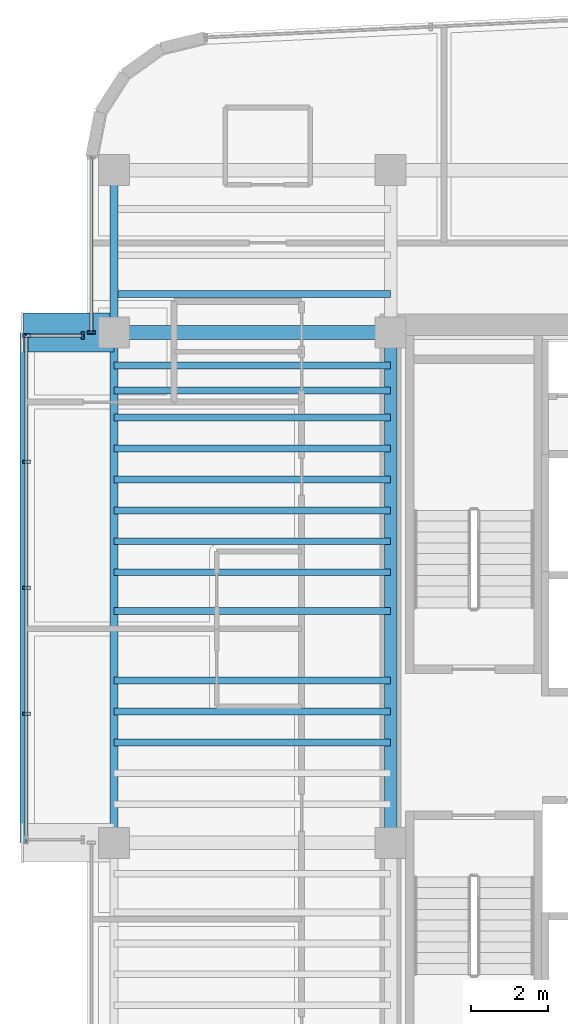
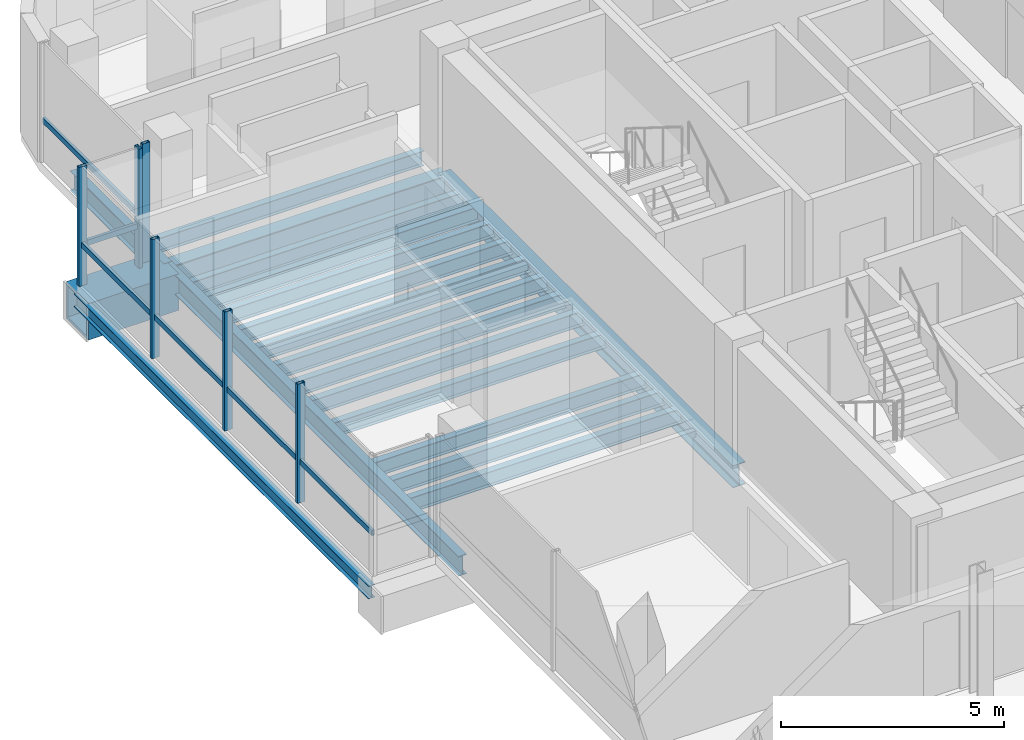
# One storey, part 6 of 20: 19 beams, 9 members, 3 elements without a shape of their own.
"""IFC4 building model written with IfcOpenShell, lengths in metres."""

from ifc_helpers import new_model, si_unit, direction, frame, origin, origin_2d, place, context, subcontext, project, spatial, hollow_rectangle, i_section, extrude, source, transform, mapped, material, material_profile, profile_set, type_object, element, aggregate, save


model = new_model("IFC4")

# Units and contexts
model_context = context("Model", 3, precision=1e-05, world=origin(), true_north=direction((0.0, 1.0)))
body_context = subcontext(model_context, "Body", "Model", "MODEL_VIEW")
ifc_project = project(units=[si_unit("LENGTHUNIT", "METRE"), si_unit("AREAUNIT", "SQUARE_METRE"), si_unit("VOLUMEUNIT", "CUBIC_METRE"), si_unit("PLANEANGLEUNIT", "RADIAN"), si_unit("MASSUNIT", "GRAM", prefix="KILO")], contexts=[model_context])

# Site, building, storey
site_placement = place(None, origin())
site = spatial("IfcSite", under=ifc_project, at=site_placement, CompositionType="ELEMENT")
building_placement = place(site_placement, origin())
building = spatial("IfcBuilding", under=site, at=building_placement, Name="Valdorenza Pilgrim Sanctuary Tower", CompositionType="ELEMENT")
storey_placement = place(building_placement, frame((0.0, 0.0, 244.0)))
storey = spatial("IfcBuildingStorey", under=building, at=storey_placement, Name="L63", CompositionType="ELEMENT", Elevation=244.0)

# Beams
ifc_material_1 = material(Name="Steel ASTM A992 Grade 50", Category="steel")
ifc_material_profile_1 = material_profile(ifc_material_1, i_section(OverallWidth=0.323974609375, OverallDepth=0.611083984375, WebThickness=0.0126953125, FlangeThickness=0.01904296875, at=origin_2d()), Name="W24X104")
ifc_profile_set_1 = profile_set([ifc_material_profile_1], Name="Steel ASTM A992 Grade 50")
beam_type_1 = type_object("IfcBeamType", Name="STR-BM-GRD-W24B", PredefinedType="BEAM", material=ifc_profile_set_1)
shared_shape_1 = source(origin(), body_context, "Body", "SweptSolid", [
    extrude(i_section(OverallWidth=0.323974609375, OverallDepth=0.611083984375, WebThickness=0.0126953125, FlangeThickness=0.01904296875, at=origin_2d()), origin(), (0.0, 0.0, 1.0), 13.2001953125),
])
beam_1_placement = place(storey_placement, frame((-22.64990234375, -2.60009765625, -0.54541015625), z_axis=(0.0, 1.0, 0.0), x_axis=(-1.0, 0.0, 0.0)))
element("IfcBeam", 1, at=beam_1_placement, inside=storey, type_object=beam_type_1, Name="L63 Core Tie Girder CA-W-M0N1", PredefinedType="BEAM", context=body_context, shape_type="MappedRepresentation", body=[
    mapped(shared_shape_1, transform((0.0, 0.0, 0.0), x_axis=(1.0, 0.0, 0.0), y_axis=(0.0, 1.0, 0.0), z_axis=(0.0, 0.0, 1.0), scale=1.0)),
])
ifc_material_profile_2 = material_profile(ifc_material_1, i_section(OverallWidth=0.1708984375, OverallDepth=0.35107421875, WebThickness=0.0068359375, FlangeThickness=0.009765625, at=origin_2d()), Name="W14X30")
ifc_profile_set_2 = profile_set([ifc_material_profile_2], Name="Steel ASTM A992 Grade 50")
beam_type_2 = type_object("IfcBeamType", Name="STR-BM-BOX-W14", PredefinedType="BEAM", material=ifc_profile_set_2)
shared_shape_2 = source(origin(), body_context, "Body", "SweptSolid", [
    extrude(i_section(OverallWidth=0.1708984375, OverallDepth=0.35107421875, WebThickness=0.0068359375, FlangeThickness=0.009765625, at=origin_2d()), origin(), (0.0, 0.0, 1.0), 13.2001953125),
])
beam_2_placement = place(storey_placement, frame((-32.14990234375, -2.60009765625, -0.41552734375), z_axis=(0.0, 1.0, 0.0), x_axis=(-1.0, 0.0, 0.0)))
element("IfcBeam", 2, at=beam_2_placement, inside=storey, type_object=beam_type_2, Name="L63 Glass Box Edge Beam BOX-WA-L63-F", PredefinedType="BEAM", context=body_context, shape_type="MappedRepresentation", body=[
    mapped(shared_shape_2, transform((0.0, 0.0, 0.0), x_axis=(1.0, 0.0, 0.0), y_axis=(0.0, 1.0, 0.0), z_axis=(0.0, 0.0, 1.0), scale=1.0)),
])
ifc_material_profile_3 = material_profile(ifc_material_1, i_section(OverallWidth=0.2109375, OverallDepth=0.5390625, WebThickness=0.01171875, FlangeThickness=0.018798828125, at=origin_2d()), Name="W21X73")
ifc_profile_set_3 = profile_set([ifc_material_profile_3], Name="Steel ASTM A992 Grade 50")
beam_type_3 = type_object("IfcBeamType", Name="STR-BM-SPN-W21B", PredefinedType="SPANDREL", material=ifc_profile_set_3)
shared_shape_3 = source(origin(), body_context, "Body", "SweptSolid", [
    extrude(i_section(OverallWidth=0.2109375, OverallDepth=0.5390625, WebThickness=0.01171875, FlangeThickness=0.018798828125, at=origin_2d()), origin(), (0.0, 0.0, 1.0), 13.2001953125),
])
beam_3_placement = place(storey_placement, frame((-29.800048828125, -2.60009765625, -0.509521484375), z_axis=(0.0, 1.0, 0.0), x_axis=(-1.0, 0.0, 0.0)))
element("IfcBeam", 3, at=beam_3_placement, inside=storey, type_object=beam_type_3, Name="L63 Spandrel Beam WA-W-M0N1", PredefinedType="SPANDREL", context=body_context, shape_type="MappedRepresentation", body=[
    mapped(shared_shape_3, transform((0.0, 0.0, 0.0), x_axis=(1.0, 0.0, 0.0), y_axis=(0.0, 1.0, 0.0), z_axis=(0.0, 0.0, 1.0), scale=1.0)),
])
shared_shape_4 = source(origin(), body_context, "Body", "SweptSolid", [
    extrude(i_section(OverallWidth=0.2109375, OverallDepth=0.5390625, WebThickness=0.01171875, FlangeThickness=0.018798828125, at=origin_2d()), origin(), (0.0, 0.0, 1.0), 4.199951171875),
])
beam_4_placement = place(storey_placement, frame((-29.800048828125, 10.60009765625, -0.509521484375), z_axis=(0.0, 1.0, 0.0), x_axis=(-1.0, 0.0, 0.0)))
element("IfcBeam", 4, at=beam_4_placement, inside=storey, type_object=beam_type_3, Name="L63 Spandrel Beam WA-W-N1N2", PredefinedType="SPANDREL", context=body_context, shape_type="MappedRepresentation", body=[
    mapped(shared_shape_4, transform((0.0, 0.0, 0.0), x_axis=(1.0, 0.0, 0.0), y_axis=(0.0, 1.0, 0.0), z_axis=(0.0, 0.0, 1.0), scale=1.0)),
])
ifc_material_profile_4 = material_profile(ifc_material_1, i_section(OverallWidth=0.35595703125, OverallDepth=0.700927734375, WebThickness=0.016845703125, FlangeThickness=0.02734375, at=origin_2d()), Name="W27X161")
ifc_profile_set_4 = profile_set([ifc_material_profile_4], Name="Steel ASTM A992 Grade 50")
beam_type_4 = type_object("IfcBeamType", Name="STR-BM-GRD-W27", PredefinedType="BEAM", material=ifc_profile_set_4)
shared_shape_5 = source(origin(), body_context, "Body", "SweptSolid", [
    extrude(i_section(OverallWidth=0.35595703125, OverallDepth=0.700927734375, WebThickness=0.016845703125, FlangeThickness=0.02734375, at=origin_2d()), origin(), (0.0, 0.0, 1.0), 7.150146484375),
])
beam_5_placement = place(storey_placement, frame((-29.800048828125, 10.60009765625, -0.590576171875), z_axis=(1.0, 0.0, 0.0), x_axis=(0.0, 1.0, 0.0)))
element("IfcBeam", 5, at=beam_5_placement, inside=storey, type_object=beam_type_4, Name="L63 Floor Girder WA-XW-N1", PredefinedType="BEAM", context=body_context, shape_type="MappedRepresentation", body=[
    mapped(shared_shape_5, transform((0.0, 0.0, 0.0), x_axis=(1.0, 0.0, 0.0), y_axis=(0.0, 1.0, 0.0), z_axis=(0.0, 0.0, 1.0), scale=1.0)),
])
ifc_material_profile_5 = material_profile(ifc_material_1, i_section(OverallWidth=0.177978515625, OverallDepth=0.406005859375, WebThickness=0.0078125, FlangeThickness=0.0126953125, at=origin_2d()), Name="W16X40")
ifc_profile_set_5 = profile_set([ifc_material_profile_5], Name="Steel ASTM A992 Grade 50")
beam_type_5 = type_object("IfcBeamType", Name="STR-BM-JST-W16", PredefinedType="JOIST", material=ifc_profile_set_5)
shared_shape_6 = source(origin(), body_context, "Body", "SweptSolid", [
    extrude(i_section(OverallWidth=0.177978515625, OverallDepth=0.406005859375, WebThickness=0.0078125, FlangeThickness=0.0126953125, at=origin_2d()), origin(), (0.0, 0.0, 1.0), 7.150146484375),
])
for number, where, z_axis, x_axis, name in (
    (6, (-29.800048828125, 0.0, -0.443115234375), (1.0, 0.0, 0.0), (0.0, 1.0, 0.0), "L63 Composite Floor Joist JST-WA-12"),
    (7, (-29.800048828125, 0.800048828125, -0.443115234375), (1.0, 0.0, 0.0), (0.0, 1.0, 0.0), "L63 Composite Floor Joist JST-WA-13"),
    (8, (-29.800048828125, 1.60009765625, -0.443115234375), (1.0, 0.0, 0.0), (0.0, 1.0, 0.0), "L63 Composite Floor Joist JST-WA-14"),
    (9, (-29.800048828125, 3.39990234375, -0.443115234375), (1.0, 0.0, 0.0), (0.0, 1.0, 0.0), "L63 Composite Floor Joist JST-WA-15"),
    (10, (-29.800048828125, 4.39990234375, -0.443115234375), (1.0, 0.0, 0.0), (0.0, 1.0, 0.0), "L63 Composite Floor Joist JST-WA-16"),
    (11, (-29.800048828125, 5.199951171875, -0.443115234375), (1.0, 0.0, 0.0), (0.0, 1.0, 0.0), "L63 Composite Floor Joist JST-WA-17"),
    (12, (-29.800048828125, 6.0, -0.443115234375), (1.0, 0.0, 0.0), (0.0, 1.0, 0.0), "L63 Composite Floor Joist JST-WA-18"),
    (13, (-29.800048828125, 6.800048828125, -0.443115234375), (1.0, 0.0, 0.0), (0.0, 1.0, 0.0), "L63 Composite Floor Joist JST-WA-19"),
    (14, (-29.800048828125, 7.60009765625, -0.443115234375), (1.0, 0.0, 0.0), (0.0, 1.0, 0.0), "L63 Composite Floor Joist JST-WA-20"),
    (15, (-29.800048828125, 8.39990234375, -0.443115234375), (1.0, 0.0, 0.0), (0.0, 1.0, 0.0), "L63 Composite Floor Joist JST-WA-21"),
    (16, (-29.800048828125, 9.10009765625, -0.443115234375), (1.0, 0.0, 0.0), (0.0, 1.0, 0.0), "L63 Composite Floor Joist JST-WA-22"),
    (17, (-29.800048828125, 9.75, -0.443115234375), (1.0, 0.0, 0.0), (0.0, 1.0, 0.0), "L63 Composite Floor Joist JST-WA-23"),
    (18, (-29.800048828125, 11.60009765625, -0.443115234375), (1.0, 0.0, 0.0), (0.0, 1.0, 0.0), "L63 Composite Floor Joist JST-WA-24"),
):
    element("IfcBeam", number, at=place(storey_placement, frame(where, z_axis=z_axis, x_axis=x_axis)), inside=storey, type_object=beam_type_5, Name=name, PredefinedType="JOIST", context=body_context, shape_type="MappedRepresentation", body=[
        mapped(shared_shape_6, transform((0.0, 0.0, 0.0), x_axis=(1.0, 0.0, 0.0), y_axis=(0.0, 1.0, 0.0), z_axis=(0.0, 0.0, 1.0), scale=1.0)),
    ])
ifc_material_2 = material(Name="Steel ASTM A572 Grade 42", Category="steel")
ifc_material_profile_6 = material_profile(ifc_material_2, hollow_rectangle(XDim=1.0, YDim=1.0, WallThickness=0.080078125, at=origin_2d()), Name="BOX 1000x1000x80")
ifc_profile_set_6 = profile_set([ifc_material_profile_6], Name="Steel ASTM A572 Grade 42")
beam_type_6 = type_object("IfcBeamType", Name="STR-BM-PROW-CANT", PredefinedType="BEAM", material=ifc_profile_set_6)
shared_shape_7 = source(origin(), body_context, "Body", "SweptSolid", [
    extrude(hollow_rectangle(XDim=1.0, YDim=1.0, WallThickness=0.080078125, at=origin_2d()), origin(), (0.0, 0.0, 1.0), 2.349853515625),
])
beam_6_placement = place(storey_placement, frame((-29.800048828125, 10.60009765625, -0.739990234375), z_axis=(-1.0, 0.0, 0.0), x_axis=(0.0, -1.0, 0.0)))
element("IfcBeam", 19, at=beam_6_placement, inside=storey, type_object=beam_type_6, Name="L63 Glass Box Cantilever Beam BOX-WA-L63-CT-N", PredefinedType="BEAM", context=body_context, shape_type="MappedRepresentation", body=[
    mapped(shared_shape_7, transform((0.0, 0.0, 0.0), x_axis=(1.0, 0.0, 0.0), y_axis=(0.0, 1.0, 0.0), z_axis=(0.0, 0.0, 1.0), scale=1.0)),
])

# Curtain wall, member
ifc_material_3 = material(Name="Curtain-wall IGU glazing", Category="glass")
curtain_wall_type = type_object("IfcCurtainWallType", Name="CW-SYS-02", PredefinedType="NOTDEFINED", material=ifc_material_3)
curtain_wall_1_placement = place(storey_placement, origin())
curtain_wall_1 = element("IfcCurtainWall", 20, at=curtain_wall_1_placement, inside=storey, type_object=curtain_wall_type, Name="L63 Curtain Wall CW-L63-BOX-WA-L63-N", PredefinedType="NOTDEFINED")
ifc_material_4 = material(Name="Anodised aluminium AW-6060", Category="aluminium")
ifc_material_profile_7 = material_profile(ifc_material_4, hollow_rectangle(XDim=0.074951171875, YDim=0.14990234375, WallThickness=0.00390625, at=origin_2d()), Name="ALU-T 150x75x4")
ifc_profile_set_7 = profile_set([ifc_material_profile_7], Name="Anodised aluminium AW-6060")
member_type_1 = type_object("IfcMemberType", Name="CW-TRN-02", PredefinedType="USERDEFINED", material=ifc_profile_set_7)
shared_shape_8 = source(origin(), body_context, "Body", "SweptSolid", [
    extrude(hollow_rectangle(XDim=0.074951171875, YDim=0.14990234375, WallThickness=0.00390625, at=origin_2d()), origin(), (0.0, 0.0, 1.0), 1.4599609375),
])
member_1_placement = place(storey_placement, frame((-32.070068359375, 10.52001953125, 1.1201171875), z_axis=(1.0, 0.0, 0.0), x_axis=(0.0, 1.0, 0.0)))
member_1 = element("IfcMember", 21, at=member_1_placement, type_object=member_type_1, Name="CW-L63-BOX-WA-L63-N Transom 1", ObjectType="TRANSOM", PredefinedType="USERDEFINED", context=body_context, shape_type="MappedRepresentation", body=[
    mapped(shared_shape_8, transform((0.0, 0.0, 0.0), x_axis=(1.0, 0.0, 0.0), y_axis=(0.0, 1.0, 0.0), z_axis=(0.0, 0.0, 1.0), scale=1.0)),
])

curtain_wall_2_placement = place(storey_placement, origin())
curtain_wall_2 = element("IfcCurtainWall", 22, at=curtain_wall_2_placement, inside=storey, type_object=curtain_wall_type, Name="L63 Curtain Wall CW-L63-BOX-WA-L63-F", PredefinedType="NOTDEFINED")
shared_shape_9 = source(origin(), body_context, "Body", "SweptSolid", [
    extrude(hollow_rectangle(XDim=0.074951171875, YDim=0.14990234375, WallThickness=0.00390625, at=origin_2d()), origin(), (0.0, 0.0, 1.0), 13.0400390625),
])
member_2_placement = place(storey_placement, frame((-32.070068359375, -2.52001953125, 1.1201171875), z_axis=(0.0, 1.0, 0.0), x_axis=(-1.0, 0.0, 0.0)))
member_2 = element("IfcMember", 23, at=member_2_placement, type_object=member_type_1, Name="CW-L63-BOX-WA-L63-F Transom 1", ObjectType="TRANSOM", PredefinedType="USERDEFINED", context=body_context, shape_type="MappedRepresentation", body=[
    mapped(shared_shape_9, transform((0.0, 0.0, 0.0), x_axis=(1.0, 0.0, 0.0), y_axis=(0.0, 1.0, 0.0), z_axis=(0.0, 0.0, 1.0), scale=1.0)),
])

curtain_wall_3_placement = place(storey_placement, origin())
curtain_wall_3 = element("IfcCurtainWall", 24, at=curtain_wall_3_placement, inside=storey, type_object=curtain_wall_type, Name="L63 Curtain Wall CW-L63-1-1S2", PredefinedType="NOTDEFINED")
ifc_material_profile_8 = material_profile(ifc_material_4, hollow_rectangle(XDim=0.0849609375, YDim=0.199951171875, WallThickness=0.0048828125, at=origin_2d()), Name="ALU-M 200x85x5")
ifc_profile_set_8 = profile_set([ifc_material_profile_8], Name="Anodised aluminium AW-6060")
member_type_2 = type_object("IfcMemberType", Name="CW-MUL-02", PredefinedType="MULLION", material=ifc_profile_set_8)
shared_shape_10 = source(origin(), body_context, "Body", "SweptSolid", [
    extrude(hollow_rectangle(XDim=0.0849609375, YDim=0.199951171875, WallThickness=0.0048828125, at=origin_2d()), origin(), (0.0, 0.0, 1.0), 3.260009765625),
])
member_3_placement = place(storey_placement, frame((-30.389892578125, 10.60009765625, 0.0), z_axis=(0.0, 0.0, 1.0), x_axis=(0.0, 1.0, 0.0)))
member_3 = element("IfcMember", 25, at=member_3_placement, type_object=member_type_2, Name="CW-L63-1-1S2 Mullion 1", PredefinedType="MULLION", context=body_context, shape_type="MappedRepresentation", body=[
    mapped(shared_shape_10, transform((0.0, 0.0, 0.0), x_axis=(1.0, 0.0, 0.0), y_axis=(0.0, 1.0, 0.0), z_axis=(0.0, 0.0, 1.0), scale=1.0)),
])

# Member
member_4_placement = place(storey_placement, frame((-32.070068359375, 0.739990234375, 0.0), z_axis=(0.0, 0.0, 1.0), x_axis=(0.0, 1.0, 0.0)))
member_4 = element("IfcMember", 26, at=member_4_placement, type_object=member_type_2, Name="CW-L63-BOX-WA-L63-F Mullion 2", PredefinedType="MULLION", context=body_context, shape_type="MappedRepresentation", body=[
    mapped(shared_shape_10, transform((0.0, 0.0, 0.0), x_axis=(1.0, 0.0, 0.0), y_axis=(0.0, 1.0, 0.0), z_axis=(0.0, 0.0, 1.0), scale=1.0)),
])

member_5_placement = place(storey_placement, frame((-32.070068359375, 4.0, 0.0), z_axis=(0.0, 0.0, 1.0), x_axis=(0.0, 1.0, 0.0)))
member_5 = element("IfcMember", 27, at=member_5_placement, type_object=member_type_2, Name="CW-L63-BOX-WA-L63-F Mullion 3", PredefinedType="MULLION", context=body_context, shape_type="MappedRepresentation", body=[
    mapped(shared_shape_10, transform((0.0, 0.0, 0.0), x_axis=(1.0, 0.0, 0.0), y_axis=(0.0, 1.0, 0.0), z_axis=(0.0, 0.0, 1.0), scale=1.0)),
])

member_6_placement = place(storey_placement, frame((-32.070068359375, 7.260009765625, 0.0), z_axis=(0.0, 0.0, 1.0), x_axis=(0.0, 1.0, 0.0)))
member_6 = element("IfcMember", 28, at=member_6_placement, type_object=member_type_2, Name="CW-L63-BOX-WA-L63-F Mullion 4", PredefinedType="MULLION", context=body_context, shape_type="MappedRepresentation", body=[
    mapped(shared_shape_10, transform((0.0, 0.0, 0.0), x_axis=(1.0, 0.0, 0.0), y_axis=(0.0, 1.0, 0.0), z_axis=(0.0, 0.0, 1.0), scale=1.0)),
])

member_7_placement = place(storey_placement, frame((-32.070068359375, 10.52001953125, 0.0), z_axis=(0.0, 0.0, 1.0), x_axis=(0.0, 1.0, 0.0)))
member_7 = element("IfcMember", 29, at=member_7_placement, type_object=member_type_2, Name="CW-L63-BOX-WA-L63-F Mullion 5", PredefinedType="MULLION", context=body_context, shape_type="MappedRepresentation", body=[
    mapped(shared_shape_10, transform((0.0, 0.0, 0.0), x_axis=(1.0, 0.0, 0.0), y_axis=(0.0, 1.0, 0.0), z_axis=(0.0, 0.0, 1.0), scale=1.0)),
])

aggregate(curtain_wall_2, [member_4, member_5, member_6, member_7, member_2])

member_8_placement = place(storey_placement, frame((-30.610107421875, 10.52001953125, 0.0), z_axis=(0.0, 0.0, 1.0), x_axis=(1.0, 0.0, 0.0)))
member_8 = element("IfcMember", 30, at=member_8_placement, type_object=member_type_2, Name="CW-L63-BOX-WA-L63-N Mullion 2", PredefinedType="MULLION", context=body_context, shape_type="MappedRepresentation", body=[
    mapped(shared_shape_10, transform((0.0, 0.0, 0.0), x_axis=(1.0, 0.0, 0.0), y_axis=(0.0, 1.0, 0.0), z_axis=(0.0, 0.0, 1.0), scale=1.0)),
])

aggregate(curtain_wall_1, [member_8, member_1])

shared_shape_11 = source(origin(), body_context, "Body", "SweptSolid", [
    extrude(hollow_rectangle(XDim=0.074951171875, YDim=0.14990234375, WallThickness=0.00390625, at=origin_2d()), origin(), (0.0, 0.0, 1.0), 4.53662109375),
])
member_9_placement = place(storey_placement, frame((-30.389892578125, 10.60009765625, 1.1201171875), z_axis=(0.0, 1.0, 0.0), x_axis=(-1.0, 0.0, 0.0)))
member_9 = element("IfcMember", 31, at=member_9_placement, type_object=member_type_1, Name="CW-L63-1-1S2 Transom 1", ObjectType="TRANSOM", PredefinedType="USERDEFINED", context=body_context, shape_type="MappedRepresentation", body=[
    mapped(shared_shape_11, transform((0.0, 0.0, 0.0), x_axis=(1.0, 0.0, 0.0), y_axis=(0.0, 1.0, 0.0), z_axis=(0.0, 0.0, 1.0), scale=1.0)),
])

aggregate(curtain_wall_3, [member_3, member_9])

save(model, "model.ifc")
